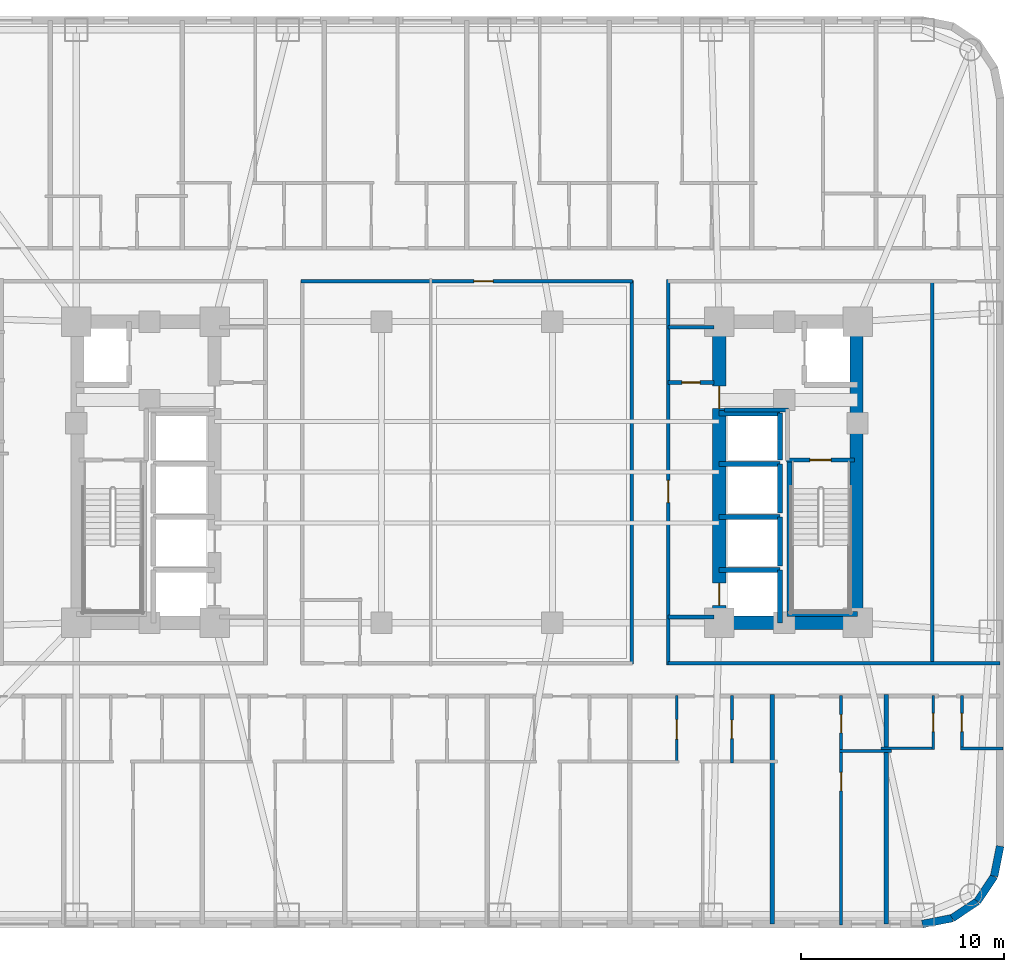
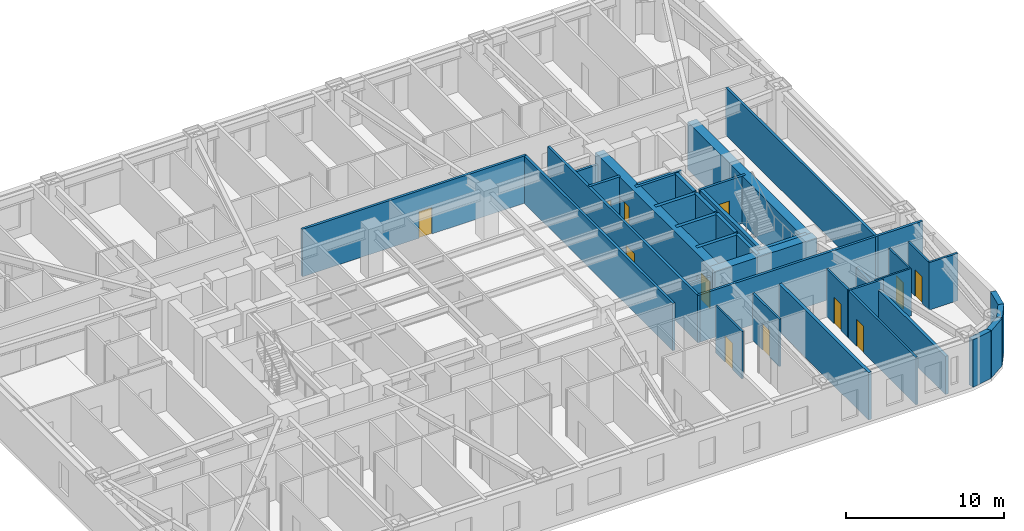
# One storey, part 6 of 12: 38 walls, 12 doors, 12 openings.
"""IFC4 building model written with IfcOpenShell, lengths in metres."""

from ifc_helpers import new_model, si_unit, direction, frame, frame_2d, origin, place, context, subcontext, project, spatial, rectangle, extrude, material, layer, layer_set, type_object, element, fill, save


model = new_model("IFC4")

# Units and contexts
model_context = context("Model", 3, precision=1e-05, world=origin(), true_north=direction((0.0, 1.0)))
body_context = subcontext(model_context, "Body", "Model", "MODEL_VIEW")
ifc_project = project(units=[si_unit("LENGTHUNIT", "METRE"), si_unit("AREAUNIT", "SQUARE_METRE"), si_unit("VOLUMEUNIT", "CUBIC_METRE"), si_unit("PLANEANGLEUNIT", "RADIAN"), si_unit("MASSUNIT", "GRAM", prefix="KILO")], contexts=[model_context])

# Site, building, storey
site_placement = place(None, origin())
site = spatial("IfcSite", under=ifc_project, at=site_placement, CompositionType="ELEMENT")
building_placement = place(site_placement, origin())
building = spatial("IfcBuilding", under=site, at=building_placement, Name="Voryun Gate Residences", CompositionType="ELEMENT")
storey_placement = place(building_placement, frame((0.0, 0.0, 65.0)))
storey = spatial("IfcBuildingStorey", under=building, at=storey_placement, Name="L15", CompositionType="ELEMENT", Elevation=65.0)

# Wall
ifc_material_1 = material(Name="Concrete C60/75", Category="concrete")
ifc_layer_1 = layer(ifc_material_1, 0.64990234375, Name="CW_CORE_650")
ifc_layer_set_1 = layer_set([ifc_layer_1], Name="Concrete C60/75")
wall_type_1 = type_object("IfcWallType", Name="CW_CORE_650", PredefinedType="SHEAR", material=ifc_layer_set_1)
wall_1_placement = place(storey_placement, frame((12.074951171875, -7.39990234375, 0.0), z_axis=(0.0, 0.0, 1.0), x_axis=(1.0, 0.0, 0.0)))
element("IfcWall", 1, at=wall_1_placement, inside=storey, type_object=wall_type_1, Name="L15 Core shear wall CW-L15-ES", PredefinedType="SHEAR", context=body_context, shape_type="SweptSolid", body=[
    extrude(rectangle(XDim=7.449951171875, YDim=0.64990234375, at=frame_2d((3.72509765625, 0.0))), origin(), (0.0, 0.0, 1.0), 3.64990234375),
])

# Wall, openings, doors
wall_2_placement = place(storey_placement, frame((12.39990234375, -7.39990234375, 0.0), z_axis=(0.0, 0.0, 1.0), x_axis=(0.0, 1.0, 0.0)))
wall_2 = element("IfcWall", 2, at=wall_2_placement, inside=storey, type_object=wall_type_1, Name="L15 Core shear wall CW-L15-EW", PredefinedType="SHEAR", context=body_context, shape_type="SweptSolid", body=[
    extrude(rectangle(XDim=14.7998046875, YDim=0.64990234375, at=frame_2d((7.39990234375, 0.0))), origin(), (0.0, 0.0, 1.0), 3.64990234375),
])
opening_1_placement = place(wall_2_placement, frame((0.85009765625, 0.0, 0.0)))
opening_1 = element("IfcOpeningElement", 3, at=opening_1_placement, cuts=wall_2, Name="Opening LD2", PredefinedType="OPENING", context=body_context, shape_type="SweptSolid", body=[
    extrude(rectangle(XDim=1.10009765625, YDim=2.050048828125, at=frame_2d((0.550048828125, 1.02490234375))), frame((0.0, 0.3349609375, 0.0), z_axis=(0.0, -1.0, 0.0), x_axis=(1.0, 0.0, 0.0)), (0.0, 0.0, 1.0), 0.669921875),
])
opening_2_placement = place(wall_2_placement, frame((10.530029296875, 0.0, 0.0)))
opening_2 = element("IfcOpeningElement", 4, at=opening_2_placement, cuts=wall_2, Name="Opening D-FD60-2", PredefinedType="OPENING", context=body_context, shape_type="SweptSolid", body=[
    extrude(rectangle(XDim=1.10009765625, YDim=2.050048828125, at=frame_2d((0.550048828125, 1.02490234375))), frame((0.0, 0.3349609375, 0.0), z_axis=(0.0, -1.0, 0.0), x_axis=(1.0, 0.0, 0.0)), (0.0, 0.0, 1.0), 0.669921875),
])
ifc_material_2 = material(Name="Painted steel fire door", Category="steel")
door_type_1 = type_object("IfcDoorType", Name="DR_FD60_FFLOB_1100", OperationType="NOTDEFINED", PredefinedType="DOOR", material=ifc_material_2)
door_1_placement = place(opening_2_placement, origin())
door_1 = element("IfcDoor", 5, at=door_1_placement, inside=storey, type_object=door_type_1, Name="Door DR-L15-CLOB-E", OperationType="SINGLE_SWING_RIGHT", OverallHeight=2.050048828125, OverallWidth=1.10009765625, PredefinedType="DOOR", context=body_context, shape_type="SweptSolid", body=[
    extrude(rectangle(XDim=1.10009765625, YDim=2.050048828125, at=frame_2d((0.550048828125, 1.02490234375))), frame((0.0, 0.02490234375, 0.0), z_axis=(0.0, -1.0, 0.0), x_axis=(1.0, 0.0, 0.0)), (0.0, 0.0, 1.0), 0.050048828125),
])
fill(opening_2, door_1)
ifc_material_3 = material(Name="Anodised aluminium", Category="aluminium")
door_type_2 = type_object("IfcDoorType", Name="DR_LD_PASS_1100", OperationType="NOTDEFINED", PredefinedType="DOOR", material=ifc_material_3)
door_2_placement = place(opening_1_placement, origin())
door_2 = element("IfcDoor", 6, at=door_2_placement, inside=storey, type_object=door_type_2, Name="Lift EL-P3 sliding landing door L15", OperationType="SLIDING_TO_LEFT", OverallHeight=2.050048828125, OverallWidth=1.10009765625, PredefinedType="DOOR", context=body_context, shape_type="SweptSolid", body=[
    extrude(rectangle(XDim=1.10009765625, YDim=2.050048828125, at=frame_2d((0.550048828125, 1.02490234375))), frame((0.0, 0.02490234375, 0.0), z_axis=(0.0, -1.0, 0.0), x_axis=(1.0, 0.0, 0.0)), (0.0, 0.0, 1.0), 0.050048828125),
])
fill(opening_1, door_2)

# Wall
wall_3_placement = place(storey_placement, frame((19.14501953125, -7.39990234375, 0.0), z_axis=(0.0, 0.0, 1.0), x_axis=(0.0, 1.0, 0.0)))
element("IfcWall", 7, at=wall_3_placement, inside=storey, type_object=wall_type_1, Name="L15 Core shear wall CW-L15-EE", PredefinedType="SHEAR", context=body_context, shape_type="SweptSolid", body=[
    extrude(rectangle(XDim=14.7998046875, YDim=0.64990234375, at=frame_2d((7.39990234375, 0.0))), origin(), (0.0, 0.0, 1.0), 3.64990234375),
])

# Wall, opening, door
ifc_material_4 = material(Name="Gypsum acoustic fireboard")
ifc_layer_2 = layer(ifc_material_4, 0.179931640625, Name="W_CORR_RATED_180")
ifc_layer_set_2 = layer_set([ifc_layer_2], Name="Gypsum acoustic fireboard")
wall_type_2 = type_object("IfcWallType", Name="W_CORR_RATED_180", PredefinedType="PARTITIONING", material=ifc_layer_set_2)
wall_4_placement = place(storey_placement, frame((15.699951171875, 0.60009765625, 0.0), z_axis=(0.0, 0.0, 1.0), x_axis=(1.0, 0.0, 0.0)))
wall_4 = element("IfcWall", 8, at=wall_4_placement, inside=storey, type_object=wall_type_2, Name="Partition wall WP-L15-STV-E", PredefinedType="PARTITIONING", context=body_context, shape_type="SweptSolid", body=[
    extrude(rectangle(XDim=3.360107421875, YDim=0.179931640625, at=frame_2d((1.68017578125, 0.0))), origin(), (0.0, 0.0, 1.0), 3.64990234375),
])
opening_3_placement = place(wall_4_placement, frame((1.155029296875, 0.0, 0.0)))
opening_3 = element("IfcOpeningElement", 9, at=opening_3_placement, cuts=wall_4, Name="Opening D-FD60-1", PredefinedType="OPENING", context=body_context, shape_type="SweptSolid", body=[
    extrude(rectangle(XDim=1.050048828125, YDim=2.050048828125, at=frame_2d((0.52490234375, 1.02490234375))), frame((0.0, 0.099853515625, 0.0), z_axis=(0.0, -1.0, 0.0), x_axis=(1.0, 0.0, 0.0)), (0.0, 0.0, 1.0), 0.199951171875),
])
ifc_material_5 = material(Name="Painted steel fire door", Category="steel")
door_type_3 = type_object("IfcDoorType", Name="DR_FD60_STAIR_1050", OperationType="NOTDEFINED", PredefinedType="DOOR", material=ifc_material_5)
door_3_placement = place(opening_3_placement, origin())
door_3 = element("IfcDoor", 10, at=door_3_placement, inside=storey, type_object=door_type_3, Name="Door DR-L15-ST-E", OperationType="SINGLE_SWING_RIGHT", OverallHeight=2.050048828125, OverallWidth=1.050048828125, PredefinedType="DOOR", context=body_context, shape_type="SweptSolid", body=[
    extrude(rectangle(XDim=1.050048828125, YDim=2.050048828125, at=frame_2d((0.52490234375, 1.02490234375))), frame((0.0, 0.02490234375, 0.0), z_axis=(0.0, -1.0, 0.0), x_axis=(1.0, 0.0, 0.0)), (0.0, 0.0, 1.0), 0.050048828125),
])
fill(opening_3, door_3)

# Walls
for number, where, z_axis, x_axis, name in (
    (11, (9.8798828125, 7.1201171875, 0.0), (0.0, 0.0, 1.0), (1.0, 0.0, 0.0), "Partition wall WP-L15-PLBN-E"),
    (12, (9.8798828125, -7.1201171875, 0.0), (0.0, 0.0, 1.0), (1.0, 0.0, 0.0), "Partition wall WP-L15-PLBS-E"),
):
    element("IfcWall", number, at=place(storey_placement, frame(where, z_axis=z_axis, x_axis=x_axis)), inside=storey, type_object=wall_type_2, Name=name, PredefinedType="PARTITIONING", context=body_context, shape_type="SweptSolid", body=[
        extrude(rectangle(XDim=2.27001953125, YDim=0.179931640625, at=frame_2d((1.135009765625, 0.0))), origin(), (0.0, 0.0, 1.0), 2.93994140625),
    ])

# Wall, opening, door
wall_5_placement = place(storey_placement, frame((9.89990234375, -9.47998046875, 0.0), z_axis=(0.0, 0.0, 1.0), x_axis=(0.0, 1.0, 0.0)))
wall_5 = element("IfcWall", 13, at=wall_5_placement, inside=storey, type_object=wall_type_2, Name="Partition wall WP-L15-PLBE-FULL", PredefinedType="PARTITIONING", context=body_context, shape_type="SweptSolid", body=[
    extrude(rectangle(XDim=18.9599609375, YDim=0.179931640625, at=frame_2d((9.47998046875, 0.0))), origin(), (0.0, 0.0, 1.0), 3.64990234375),
])
opening_4_placement = place(wall_5_placement, frame((7.98193359375, 0.0, 0.0)))
opening_4 = element("IfcOpeningElement", 14, at=opening_4_placement, cuts=wall_5, Name="Opening D-FD60-2", PredefinedType="OPENING", context=body_context, shape_type="SweptSolid", body=[
    extrude(rectangle(XDim=1.10009765625, YDim=2.050048828125, at=frame_2d((0.550048828125, 1.02490234375))), frame((0.0, 0.099853515625, 0.0), z_axis=(0.0, -1.0, 0.0), x_axis=(1.0, 0.0, 0.0)), (0.0, 0.0, 1.0), 0.199951171875),
])
door_4_placement = place(opening_4_placement, origin())
door_4 = element("IfcDoor", 15, at=door_4_placement, inside=storey, type_object=door_type_1, Name="Door DR-L15-PLBE-COR", OperationType="SINGLE_SWING_RIGHT", OverallHeight=2.050048828125, OverallWidth=1.10009765625, PredefinedType="DOOR", context=body_context, shape_type="SweptSolid", body=[
    extrude(rectangle(XDim=1.10009765625, YDim=2.050048828125, at=frame_2d((0.550048828125, 1.02490234375))), frame((0.0, 0.02490234375, 0.0), z_axis=(0.0, -1.0, 0.0), x_axis=(1.0, 0.0, 0.0)), (0.0, 0.0, 1.0), 0.050048828125),
])
fill(opening_4, door_4)

# Wall
wall_6_placement = place(storey_placement, frame((9.8798828125, -9.389892578125, 0.0), z_axis=(0.0, 0.0, 1.0), x_axis=(1.0, 0.0, 0.0)))
element("IfcWall", 16, at=wall_6_placement, inside=storey, type_object=wall_type_2, Name="Partition wall WP-L15-CWING-ES", PredefinedType="PARTITIONING", context=body_context, shape_type="SweptSolid", body=[
    extrude(rectangle(XDim=16.330078125, YDim=0.179931640625, at=frame_2d((8.1650390625, 0.0))), origin(), (0.0, 0.0, 1.0), 3.64990234375),
])

# Wall, opening, door
wall_7_placement = place(storey_placement, frame((-8.14990234375, 9.389892578125, 0.0), z_axis=(0.0, 0.0, 1.0), x_axis=(1.0, 0.0, 0.0)))
wall_7 = element("IfcWall", 17, at=wall_7_placement, inside=storey, type_object=wall_type_2, Name="Partition wall WP-L15-Z1N", PredefinedType="PARTITIONING", context=body_context, shape_type="SweptSolid", body=[
    extrude(rectangle(XDim=16.2998046875, YDim=0.179931640625, at=frame_2d((8.14990234375, 0.0))), origin(), (0.0, 0.0, 1.0), 3.64990234375),
])
opening_5_placement = place(wall_7_placement, frame((8.489990234375, 0.0, 0.0)))
opening_5 = element("IfcOpeningElement", 18, at=opening_5_placement, cuts=wall_7, Name="Opening D-INT-1", PredefinedType="OPENING", context=body_context, shape_type="SweptSolid", body=[
    extrude(rectangle(XDim=0.949951171875, YDim=2.050048828125, at=frame_2d((0.47509765625, 1.02490234375))), frame((0.0, 0.099853515625, 0.0), z_axis=(0.0, -1.0, 0.0), x_axis=(1.0, 0.0, 0.0)), (0.0, 0.0, 1.0), 0.199951171875),
])
ifc_material_6 = material(Name="Architectural oak veneer")
door_type_4 = type_object("IfcDoorType", Name="DR_INT_ROOM_950", OperationType="NOTDEFINED", PredefinedType="DOOR", material=ifc_material_6)
door_5_placement = place(opening_5_placement, origin())
door_5 = element("IfcDoor", 19, at=door_5_placement, inside=storey, type_object=door_type_4, Name="Door DR-L15-CMIDZ1N", OperationType="SINGLE_SWING_LEFT", OverallHeight=2.050048828125, OverallWidth=0.949951171875, PredefinedType="DOOR", context=body_context, shape_type="SweptSolid", body=[
    extrude(rectangle(XDim=0.949951171875, YDim=2.050048828125, at=frame_2d((0.47509765625, 1.02490234375))), frame((0.0, 0.02490234375, 0.0), z_axis=(0.0, -1.0, 0.0), x_axis=(1.0, 0.0, 0.0)), (0.0, 0.0, 1.0), 0.050048828125),
])
fill(opening_5, door_5)

# Walls
wall_8_placement = place(storey_placement, frame((8.10009765625, -9.429931640625, 0.0), z_axis=(0.0, 0.0, 1.0), x_axis=(0.0, 1.0, 0.0)))
element("IfcWall", 20, at=wall_8_placement, inside=storey, type_object=wall_type_2, Name="Partition wall WP-L15-Z1E", PredefinedType="PARTITIONING", context=body_context, shape_type="SweptSolid", body=[
    extrude(rectangle(XDim=18.85986328125, YDim=0.179931640625, at=frame_2d((9.429931640625, 0.0))), origin(), (0.0, 0.0, 1.0), 3.64990234375),
])
wall_9_placement = place(storey_placement, frame((22.8701171875, -9.47998046875, 0.0), z_axis=(0.0, 0.0, 1.0), x_axis=(0.0, 1.0, 0.0)))
element("IfcWall", 21, at=wall_9_placement, inside=storey, type_object=wall_type_2, Name="Partition wall WP-L15-EEND", PredefinedType="PARTITIONING", context=body_context, shape_type="SweptSolid", body=[
    extrude(rectangle(XDim=18.9599609375, YDim=0.179931640625, at=frame_2d((9.47998046875, 0.0))), origin(), (0.0, 0.0, 1.0), 3.64990234375),
])
ifc_material_7 = material(Name="Granite masonry", Category="masonry")
ifc_layer_3 = layer(ifc_material_7, 0.3798828125, Name="W_EXT_GRANITE_380")
ifc_layer_set_3 = layer_set([ifc_layer_3], Name="Granite masonry")
wall_type_3 = type_object("IfcWallType", Name="W_EXT_GRANITE_380", PredefinedType="ELEMENTEDWALL", material=ifc_layer_set_3)
wall_10_placement = place(storey_placement, frame((26.2099609375, -18.38134765625, 0.0), z_axis=(0.0, 0.0, 1.0), x_axis=(-0.195086038585, -0.980786132421, 0.0)))
element("IfcWall", 22, at=wall_10_placement, inside=storey, type_object=wall_type_3, Name="Exterior wall WEXT-L15-17", PredefinedType="ELEMENTEDWALL", context=body_context, shape_type="SweptSolid", body=[
    extrude(rectangle(XDim=1.504150390625, YDim=0.3798828125, at=frame_2d((0.751953125, 0.0))), origin(), (0.0, 0.0, 1.0), 3.64990234375),
])
for number, where, z_axis, x_axis, name in (
    (23, (25.91650390625, -19.856689453125, 0.0), (0.0, 0.0, 1.0), (-0.555686231674, -0.831392092774, 0.0), "Exterior wall WEXT-L15-18"),
    (24, (25.09130859375, -21.09130859375, 0.0), (0.0, 0.0, 1.0), (-0.831392092774, -0.555686231674, 0.0), "Exterior wall WEXT-L15-19"),
):
    element("IfcWall", number, at=place(storey_placement, frame(where, z_axis=z_axis, x_axis=x_axis)), inside=storey, type_object=wall_type_3, Name=name, PredefinedType="ELEMENTEDWALL", context=body_context, shape_type="SweptSolid", body=[
        extrude(rectangle(XDim=1.485107421875, YDim=0.3798828125, at=frame_2d((0.74267578125, 0.0))), origin(), (0.0, 0.0, 1.0), 3.64990234375),
    ])
wall_11_placement = place(storey_placement, frame((23.856689453125, -21.91650390625, 0.0), z_axis=(0.0, 0.0, 1.0), x_axis=(-0.980786132421, -0.195086038585, 0.0)))
element("IfcWall", 25, at=wall_11_placement, inside=storey, type_object=wall_type_3, Name="Exterior wall WEXT-L15-20", PredefinedType="ELEMENTEDWALL", context=body_context, shape_type="SweptSolid", body=[
    extrude(rectangle(XDim=1.504150390625, YDim=0.3798828125, at=frame_2d((0.751953125, 0.0))), origin(), (0.0, 0.0, 1.0), 3.64990234375),
])
ifc_material_8 = material(Name="Concrete C40/50", Category="concrete")
ifc_layer_4 = layer(ifc_material_8, 0.199951171875, Name="W_FF_LOBBY_200")
ifc_layer_set_4 = layer_set([ifc_layer_4], Name="Concrete C40/50")
wall_type_4 = type_object("IfcWallType", Name="W_FF_LOBBY_200", PredefinedType="PARTITIONING", material=ifc_layer_set_4)
wall_12_placement = place(storey_placement, frame((12.659912109375, 3.06005859375, 0.0), z_axis=(0.0, 0.0, 1.0), x_axis=(1.0, 0.0, 0.0)))
element("IfcWall", 26, at=wall_12_placement, inside=storey, type_object=wall_type_4, Name="Partition wall WP-L15-FFPS-E", PredefinedType="PARTITIONING", context=body_context, shape_type="SweptSolid", body=[
    extrude(rectangle(XDim=3.16015625, YDim=0.199951171875, at=frame_2d((1.580078125, 0.0))), origin(), (0.0, 0.0, 1.0), 3.64990234375),
])

# Wall, opening, door
wall_13_placement = place(storey_placement, frame((9.8798828125, 4.409912109375, 0.0), z_axis=(0.0, 0.0, 1.0), x_axis=(1.0, 0.0, 0.0)))
wall_13 = element("IfcWall", 27, at=wall_13_placement, inside=storey, type_object=wall_type_4, Name="Partition wall WP-L15-CSFLKS-E", PredefinedType="PARTITIONING", context=body_context, shape_type="SweptSolid", body=[
    extrude(rectangle(XDim=2.27001953125, YDim=0.199951171875, at=frame_2d((1.135009765625, 0.0))), origin(), (0.0, 0.0, 1.0), 3.64990234375),
])
opening_6_placement = place(wall_13_placement, frame((0.68505859375, 0.0, 0.0)))
opening_6 = element("IfcOpeningElement", 28, at=opening_6_placement, cuts=wall_13, Name="Opening D-FD60-4", PredefinedType="OPENING", context=body_context, shape_type="SweptSolid", body=[
    extrude(rectangle(XDim=0.89990234375, YDim=2.050048828125, at=frame_2d((0.449951171875, 1.02490234375))), frame((0.0, 0.110107421875, 0.0), z_axis=(0.0, -1.0, 0.0), x_axis=(1.0, 0.0, 0.0)), (0.0, 0.0, 1.0), 0.219970703125),
])
ifc_material_9 = material(Name="Painted steel fire door", Category="steel")
door_type_5 = type_object("IfcDoorType", Name="DR_FD60_RISER_900", OperationType="NOTDEFINED", PredefinedType="DOOR", material=ifc_material_9)
door_6_placement = place(opening_6_placement, origin())
door_6 = element("IfcDoor", 29, at=door_6_placement, inside=storey, type_object=door_type_5, Name="Door DR-L15-CSFLK-E", OperationType="SINGLE_SWING_RIGHT", OverallHeight=2.050048828125, OverallWidth=0.89990234375, PredefinedType="DOOR", context=body_context, shape_type="SweptSolid", body=[
    extrude(rectangle(XDim=0.89990234375, YDim=2.050048828125, at=frame_2d((0.449951171875, 1.02490234375))), frame((0.0, 0.02490234375, 0.0), z_axis=(0.0, -1.0, 0.0), x_axis=(1.0, 0.0, 0.0)), (0.0, 0.0, 1.0), 0.050048828125),
])
fill(opening_6, door_6)

# Walls
ifc_material_10 = material(Name="Concrete C40/50", Category="concrete")
ifc_layer_5 = layer(ifc_material_10, 0.219970703125, Name="W_PARTY_ACOUSTIC_220")
ifc_layer_set_5 = layer_set([ifc_layer_5], Name="Concrete C40/50")
wall_type_5 = type_object("IfcWallType", Name="W_PARTY_ACOUSTIC_220", PredefinedType="PARTITIONING", material=ifc_layer_set_5)
wall_14_placement = place(storey_placement, frame((15.0, -22.2099609375, 0.0), z_axis=(0.0, 0.0, 1.0), x_axis=(0.0, 1.0, 0.0)))
element("IfcWall", 30, at=wall_14_placement, inside=storey, type_object=wall_type_5, Name="Partition wall WP-L15-SPTY-7", PredefinedType="PARTITIONING", context=body_context, shape_type="SweptSolid", body=[
    extrude(rectangle(XDim=11.2900390625, YDim=0.219970703125, at=frame_2d((5.64501953125, 0.0))), origin(), (0.0, 0.0, 1.0), 3.64990234375),
])
wall_15_placement = place(storey_placement, frame((20.60888671875, -22.2099609375, 0.0), z_axis=(0.0, 0.0, 1.0), x_axis=(0.0, 1.0, 0.0)))
element("IfcWall", 31, at=wall_15_placement, inside=storey, type_object=wall_type_5, Name="Partition wall WP-L15-SPTY-8", PredefinedType="PARTITIONING", context=body_context, shape_type="SweptSolid", body=[
    extrude(rectangle(XDim=11.2900390625, YDim=0.219970703125, at=frame_2d((5.64501953125, 0.0))), origin(), (0.0, 0.0, 1.0), 2.93994140625),
])
ifc_material_11 = material(Name="Concrete C50/60", Category="concrete")
ifc_layer_6 = layer(ifc_material_11, 0.25, Name="W_SHAFT_RC250")
ifc_layer_set_6 = layer_set([ifc_layer_6], Name="Concrete C50/60")
wall_type_6 = type_object("IfcWallType", Name="W_SHAFT_RC250", PredefinedType="SOLIDWALL", material=ifc_layer_set_6)
wall_16_placement = place(storey_placement, frame((15.860107421875, -7.0849609375, 0.0), z_axis=(0.0, 0.0, 1.0), x_axis=(0.0, 1.0, 0.0)))
element("IfcWall", 32, at=wall_16_placement, inside=storey, type_object=wall_type_6, Name="L15 Stair shaft structural wall E-STL", PredefinedType="SOLIDWALL", context=body_context, shape_type="SweptSolid", body=[
    extrude(rectangle(XDim=7.68505859375, YDim=0.25, at=frame_2d((3.842529296875, 0.0))), origin(), (0.0, 0.0, 1.0), 3.64990234375),
])
wall_17_placement = place(storey_placement, frame((15.739990234375, -6.965087890625, 0.0), z_axis=(0.0, 0.0, 1.0), x_axis=(1.0, 0.0, 0.0)))
element("IfcWall", 33, at=wall_17_placement, inside=storey, type_object=wall_type_6, Name="L15 Stair shaft structural wall E-STS", PredefinedType="SOLIDWALL", context=body_context, shape_type="SweptSolid", body=[
    extrude(rectangle(XDim=3.4599609375, YDim=0.25, at=frame_2d((1.72998046875, 0.0))), origin(), (0.0, 0.0, 1.0), 3.64990234375),
])
wall_18_placement = place(storey_placement, frame((15.39990234375, -7.39990234375, 0.0), z_axis=(0.0, 0.0, 1.0), x_axis=(0.0, 1.0, 0.0)))
element("IfcWall", 34, at=wall_18_placement, inside=storey, type_object=wall_type_6, Name="Lift shaft wall WSH-L15-EL-P3-E", PredefinedType="SOLIDWALL", context=body_context, shape_type="SweptSolid", body=[
    extrude(rectangle(XDim=2.599853515625, YDim=0.25, at=frame_2d((1.2998046875, 0.0))), origin(), (0.0, 0.0, 1.0), 3.64990234375),
])
wall_19_placement = place(storey_placement, frame((15.39990234375, -4.800048828125, 0.0), z_axis=(0.0, 0.0, 1.0), x_axis=(-1.0, 0.0, 0.0)))
element("IfcWall", 35, at=wall_19_placement, inside=storey, type_object=wall_type_6, Name="Lift shaft wall WSH-L15-EL-P3-N", PredefinedType="SOLIDWALL", context=body_context, shape_type="SweptSolid", body=[
    extrude(rectangle(XDim=3.0, YDim=0.25, at=frame_2d((1.5, 0.0))), origin(), (0.0, 0.0, 1.0), 3.64990234375),
])
wall_20_placement = place(storey_placement, frame((15.39990234375, -4.60009765625, 0.0), z_axis=(0.0, 0.0, 1.0), x_axis=(0.0, 1.0, 0.0)))
element("IfcWall", 36, at=wall_20_placement, inside=storey, type_object=wall_type_6, Name="Lift shaft wall WSH-L15-EL-P5-E", PredefinedType="SOLIDWALL", context=body_context, shape_type="SweptSolid", body=[
    extrude(rectangle(XDim=2.400146484375, YDim=0.25, at=frame_2d((1.2001953125, 0.0))), origin(), (0.0, 0.0, 1.0), 3.64990234375),
])
wall_21_placement = place(storey_placement, frame((15.39990234375, -2.199951171875, 0.0), z_axis=(0.0, 0.0, 1.0), x_axis=(-1.0, 0.0, 0.0)))
element("IfcWall", 37, at=wall_21_placement, inside=storey, type_object=wall_type_6, Name="Lift shaft wall WSH-L15-EL-P5-N", PredefinedType="SOLIDWALL", context=body_context, shape_type="SweptSolid", body=[
    extrude(rectangle(XDim=3.0, YDim=0.25, at=frame_2d((1.5, 0.0))), origin(), (0.0, 0.0, 1.0), 3.64990234375),
])
wall_22_placement = place(storey_placement, frame((15.39990234375, -2.0, 0.0), z_axis=(0.0, 0.0, 1.0), x_axis=(0.0, 1.0, 0.0)))
element("IfcWall", 38, at=wall_22_placement, inside=storey, type_object=wall_type_6, Name="Lift shaft wall WSH-L15-EL-P6-E", PredefinedType="SOLIDWALL", context=body_context, shape_type="SweptSolid", body=[
    extrude(rectangle(XDim=2.39990234375, YDim=0.25, at=frame_2d((1.199951171875, 0.0))), origin(), (0.0, 0.0, 1.0), 3.64990234375),
])
wall_23_placement = place(storey_placement, frame((15.39990234375, 0.39990234375, 0.0), z_axis=(0.0, 0.0, 1.0), x_axis=(-1.0, 0.0, 0.0)))
element("IfcWall", 39, at=wall_23_placement, inside=storey, type_object=wall_type_6, Name="Lift shaft wall WSH-L15-EL-P6-N", PredefinedType="SOLIDWALL", context=body_context, shape_type="SweptSolid", body=[
    extrude(rectangle(XDim=3.0, YDim=0.25, at=frame_2d((1.5, 0.0))), origin(), (0.0, 0.0, 1.0), 3.64990234375),
])
wall_24_placement = place(storey_placement, frame((15.39990234375, 0.60009765625, 0.0), z_axis=(0.0, 0.0, 1.0), x_axis=(0.0, 1.0, 0.0)))
element("IfcWall", 40, at=wall_24_placement, inside=storey, type_object=wall_type_6, Name="Lift shaft wall WSH-L15-EL-P8-E", PredefinedType="SOLIDWALL", context=body_context, shape_type="SweptSolid", body=[
    extrude(rectangle(XDim=2.2998046875, YDim=0.25, at=frame_2d((1.14990234375, 0.0))), origin(), (0.0, 0.0, 1.0), 3.64990234375),
])
wall_25_placement = place(storey_placement, frame((15.39990234375, 2.89990234375, 0.0), z_axis=(0.0, 0.0, 1.0), x_axis=(-1.0, 0.0, 0.0)))
element("IfcWall", 41, at=wall_25_placement, inside=storey, type_object=wall_type_6, Name="Lift shaft wall WSH-L15-EL-P8-N", PredefinedType="SOLIDWALL", context=body_context, shape_type="SweptSolid", body=[
    extrude(rectangle(XDim=3.0, YDim=0.25, at=frame_2d((1.5, 0.0))), origin(), (0.0, 0.0, 1.0), 3.64990234375),
])

# Wall, opening, door
ifc_material_12 = material(Name="Gypsum acoustic partition")
ifc_layer_7 = layer(ifc_material_12, 0.125, Name="W_UNIT_PART_125")
ifc_layer_set_7 = layer_set([ifc_layer_7], Name="Gypsum acoustic partition")
wall_type_7 = type_object("IfcWallType", Name="W_UNIT_PART_125", PredefinedType="PARTITIONING", material=ifc_layer_set_7)
wall_26_placement = place(storey_placement, frame((10.31005859375, -14.300048828125, 0.0), z_axis=(0.0, 0.0, 1.0), x_axis=(0.0, 1.0, 0.0)))
wall_26 = element("IfcWall", 42, at=wall_26_placement, inside=storey, type_object=wall_type_7, Name="Partition wall WP-L15-S7-IVK", PredefinedType="PARTITIONING", context=body_context, shape_type="SweptSolid", body=[
    extrude(rectangle(XDim=3.320068359375, YDim=0.125, at=frame_2d((1.66015625, 0.0))), origin(), (0.0, 0.0, 1.0), 3.64990234375),
])
opening_7_placement = place(wall_26_placement, frame((1.18505859375, 0.0, 0.0)))
opening_7 = element("IfcOpeningElement", 43, at=opening_7_placement, cuts=wall_26, Name="Opening D-INT-1", PredefinedType="OPENING", context=body_context, shape_type="SweptSolid", body=[
    extrude(rectangle(XDim=0.949951171875, YDim=2.050048828125, at=frame_2d((0.47509765625, 1.02490234375))), frame((0.0, 0.072509765625, 0.0), z_axis=(0.0, -1.0, 0.0), x_axis=(1.0, 0.0, 0.0)), (0.0, 0.0, 1.0), 0.14501953125),
])
door_7_placement = place(opening_7_placement, origin())
door_7 = element("IfcDoor", 44, at=door_7_placement, inside=storey, type_object=door_type_4, Name="Door DR-L15-S7-DK", OperationType="SINGLE_SWING_LEFT", OverallHeight=2.050048828125, OverallWidth=0.949951171875, PredefinedType="DOOR", context=body_context, shape_type="SweptSolid", body=[
    extrude(rectangle(XDim=0.949951171875, YDim=2.050048828125, at=frame_2d((0.47509765625, 1.02490234375))), frame((0.0, 0.02490234375, 0.0), z_axis=(0.0, -1.0, 0.0), x_axis=(1.0, 0.0, 0.0)), (0.0, 0.0, 1.0), 0.050048828125),
])
fill(opening_7, door_7)

wall_27_placement = place(storey_placement, frame((22.9189453125, -13.6298828125, 0.0), z_axis=(0.0, 0.0, 1.0), x_axis=(0.0, 1.0, 0.0)))
wall_27 = element("IfcWall", 45, at=wall_27_placement, inside=storey, type_object=wall_type_7, Name="Partition wall WP-L15-S9-CVK", PredefinedType="PARTITIONING", context=body_context, shape_type="SweptSolid", body=[
    extrude(rectangle(XDim=2.64990234375, YDim=0.125, at=frame_2d((1.324951171875, 0.0))), origin(), (0.0, 0.0, 1.0), 3.64990234375),
])
opening_8_placement = place(wall_27_placement, frame((0.875, 0.0, 0.0)))
opening_8 = element("IfcOpeningElement", 46, at=opening_8_placement, cuts=wall_27, Name="Opening D-INT-2", PredefinedType="OPENING", context=body_context, shape_type="SweptSolid", body=[
    extrude(rectangle(XDim=0.89990234375, YDim=2.050048828125, at=frame_2d((0.449951171875, 1.02490234375))), frame((0.0, 0.072509765625, 0.0), z_axis=(0.0, -1.0, 0.0), x_axis=(1.0, 0.0, 0.0)), (0.0, 0.0, 1.0), 0.14501953125),
])
ifc_material_13 = material(Name="Architectural oak veneer")
door_type_6 = type_object("IfcDoorType", Name="DR_INT_BATH_900", OperationType="NOTDEFINED", PredefinedType="DOOR", material=ifc_material_13)
door_8_placement = place(opening_8_placement, origin())
door_8 = element("IfcDoor", 47, at=door_8_placement, inside=storey, type_object=door_type_6, Name="Door DR-L15-S9-DK", OperationType="SINGLE_SWING_LEFT", OverallHeight=2.050048828125, OverallWidth=0.89990234375, PredefinedType="DOOR", context=body_context, shape_type="SweptSolid", body=[
    extrude(rectangle(XDim=0.89990234375, YDim=2.050048828125, at=frame_2d((0.449951171875, 1.02490234375))), frame((0.0, 0.02490234375, 0.0), z_axis=(0.0, -1.0, 0.0), x_axis=(1.0, 0.0, 0.0)), (0.0, 0.0, 1.0), 0.050048828125),
])
fill(opening_8, door_8)

# Wall
wall_28_placement = place(storey_placement, frame((20.34912109375, -13.570068359375, 0.0), z_axis=(0.0, 0.0, 1.0), x_axis=(1.0, 0.0, 0.0)))
element("IfcWall", 48, at=wall_28_placement, inside=storey, type_object=wall_type_7, Name="Partition wall WP-L15-S9-CHK", PredefinedType="PARTITIONING", context=body_context, shape_type="SweptSolid", body=[
    extrude(rectangle(XDim=2.6298828125, YDim=0.125, at=frame_2d((1.31494140625, 0.0))), origin(), (0.0, 0.0, 1.0), 3.64990234375),
])

# Wall, opening, door
ifc_material_14 = material(Name="Gypsum moisture-resistant partition")
ifc_layer_8 = layer(ifc_material_14, 0.14990234375, Name="W_WET_PLUMB_150")
ifc_layer_set_8 = layer_set([ifc_layer_8], Name="Gypsum moisture-resistant partition")
wall_type_8 = type_object("IfcWallType", Name="W_WET_PLUMB_150", PredefinedType="PLUMBINGWALL", material=ifc_layer_set_8)
wall_29_placement = place(storey_placement, frame((13.02001953125, -14.300048828125, 0.0), z_axis=(0.0, 0.0, 1.0), x_axis=(0.0, 1.0, 0.0)))
wall_29 = element("IfcWall", 49, at=wall_29_placement, inside=storey, type_object=wall_type_8, Name="Partition wall WP-L15-S7-IVB", PredefinedType="PLUMBINGWALL", context=body_context, shape_type="SweptSolid", body=[
    extrude(rectangle(XDim=3.320068359375, YDim=0.14990234375, at=frame_2d((1.66015625, 0.0))), origin(), (0.0, 0.0, 1.0), 3.64990234375),
])
opening_9_placement = place(wall_29_placement, frame((1.2099609375, 0.0, 0.0)))
opening_9 = element("IfcOpeningElement", 50, at=opening_9_placement, cuts=wall_29, Name="Opening D-INT-2", PredefinedType="OPENING", context=body_context, shape_type="SweptSolid", body=[
    extrude(rectangle(XDim=0.89990234375, YDim=2.050048828125, at=frame_2d((0.449951171875, 1.02490234375))), frame((0.0, 0.0849609375, 0.0), z_axis=(0.0, -1.0, 0.0), x_axis=(1.0, 0.0, 0.0)), (0.0, 0.0, 1.0), 0.169921875),
])
door_9_placement = place(opening_9_placement, origin())
door_9 = element("IfcDoor", 51, at=door_9_placement, inside=storey, type_object=door_type_6, Name="Door DR-L15-S7-DB", OperationType="SINGLE_SWING_RIGHT", OverallHeight=2.050048828125, OverallWidth=0.89990234375, PredefinedType="DOOR", context=body_context, shape_type="SweptSolid", body=[
    extrude(rectangle(XDim=0.89990234375, YDim=2.050048828125, at=frame_2d((0.449951171875, 1.02490234375))), frame((0.0, 0.02490234375, 0.0), z_axis=(0.0, -1.0, 0.0), x_axis=(1.0, 0.0, 0.0)), (0.0, 0.0, 1.0), 0.050048828125),
])
fill(opening_9, door_9)

# Wall
wall_30_placement = place(storey_placement, frame((18.319091796875, -13.699951171875, 0.0), z_axis=(0.0, 0.0, 1.0), x_axis=(1.0, 0.0, 0.0)))
element("IfcWall", 52, at=wall_30_placement, inside=storey, type_object=wall_type_8, Name="Partition wall WP-L15-S8-SKB", PredefinedType="PLUMBINGWALL", context=body_context, shape_type="SweptSolid", body=[
    extrude(rectangle(XDim=2.5498046875, YDim=0.14990234375, at=frame_2d((1.27490234375, 0.0))), origin(), (0.0, 0.0, 1.0), 3.64990234375),
])

# Wall, opening, door
wall_31_placement = place(storey_placement, frame((18.39892578125, -22.257568359375, 0.0), z_axis=(0.0, 0.0, 1.0), x_axis=(0.0, 1.0, 0.0)))
wall_31 = element("IfcWall", 53, at=wall_31_placement, inside=storey, type_object=wall_type_8, Name="Partition wall WP-L15-S8-SVT1", PredefinedType="PLUMBINGWALL", context=body_context, shape_type="SweptSolid", body=[
    extrude(rectangle(XDim=8.59765625, YDim=0.14990234375, at=frame_2d((4.298828125, 0.0))), origin(), (0.0, 0.0, 1.0), 3.64990234375),
])
opening_10_placement = place(wall_31_placement, frame((6.60009765625, 0.0, 0.0)))
opening_10 = element("IfcOpeningElement", 54, at=opening_10_placement, cuts=wall_31, Name="Opening D-INT-2", PredefinedType="OPENING", context=body_context, shape_type="SweptSolid", body=[
    extrude(rectangle(XDim=0.89990234375, YDim=2.050048828125, at=frame_2d((0.449951171875, 1.02490234375))), frame((0.0, 0.0849609375, 0.0), z_axis=(0.0, -1.0, 0.0), x_axis=(1.0, 0.0, 0.0)), (0.0, 0.0, 1.0), 0.169921875),
])
door_10_placement = place(opening_10_placement, origin())
door_10 = element("IfcDoor", 55, at=door_10_placement, inside=storey, type_object=door_type_6, Name="Door DR-L15-S8-DK", OperationType="SINGLE_SWING_LEFT", OverallHeight=2.050048828125, OverallWidth=0.89990234375, PredefinedType="DOOR", context=body_context, shape_type="SweptSolid", body=[
    extrude(rectangle(XDim=0.89990234375, YDim=2.050048828125, at=frame_2d((0.449951171875, 1.02490234375))), frame((0.0, 0.02490234375, 0.0), z_axis=(0.0, -1.0, 0.0), x_axis=(1.0, 0.0, 0.0)), (0.0, 0.0, 1.0), 0.050048828125),
])
fill(opening_10, door_10)

wall_32_placement = place(storey_placement, frame((18.39892578125, -13.739990234375, 0.0), z_axis=(0.0, 0.0, 1.0), x_axis=(0.0, 1.0, 0.0)))
wall_32 = element("IfcWall", 56, at=wall_32_placement, inside=storey, type_object=wall_type_8, Name="Partition wall WP-L15-S8-SVT2", PredefinedType="PLUMBINGWALL", context=body_context, shape_type="SweptSolid", body=[
    extrude(rectangle(XDim=2.760009765625, YDim=0.14990234375, at=frame_2d((1.3798828125, 0.0))), origin(), (0.0, 0.0, 1.0), 3.64990234375),
])
opening_11_placement = place(wall_32_placement, frame((0.929931640625, 0.0, 0.0)))
opening_11 = element("IfcOpeningElement", 57, at=opening_11_placement, cuts=wall_32, Name="Opening D-INT-2", PredefinedType="OPENING", context=body_context, shape_type="SweptSolid", body=[
    extrude(rectangle(XDim=0.89990234375, YDim=2.050048828125, at=frame_2d((0.449951171875, 1.02490234375))), frame((0.0, 0.0849609375, 0.0), z_axis=(0.0, -1.0, 0.0), x_axis=(1.0, 0.0, 0.0)), (0.0, 0.0, 1.0), 0.169921875),
])
door_11_placement = place(opening_11_placement, origin())
door_11 = element("IfcDoor", 58, at=door_11_placement, inside=storey, type_object=door_type_6, Name="Door DR-L15-S8-DB", OperationType="SINGLE_SWING_RIGHT", OverallHeight=2.050048828125, OverallWidth=0.89990234375, PredefinedType="DOOR", context=body_context, shape_type="SweptSolid", body=[
    extrude(rectangle(XDim=0.89990234375, YDim=2.050048828125, at=frame_2d((0.449951171875, 1.02490234375))), frame((0.0, 0.02490234375, 0.0), z_axis=(0.0, -1.0, 0.0), x_axis=(1.0, 0.0, 0.0)), (0.0, 0.0, 1.0), 0.050048828125),
])
fill(opening_11, door_11)

wall_33_placement = place(storey_placement, frame((24.3310546875, -13.6298828125, 0.0), z_axis=(0.0, 0.0, 1.0), x_axis=(0.0, 1.0, 0.0)))
wall_33 = element("IfcWall", 59, at=wall_33_placement, inside=storey, type_object=wall_type_8, Name="Partition wall WP-L15-S9-CVB", PredefinedType="PLUMBINGWALL", context=body_context, shape_type="SweptSolid", body=[
    extrude(rectangle(XDim=2.64990234375, YDim=0.14990234375, at=frame_2d((1.324951171875, 0.0))), origin(), (0.0, 0.0, 1.0), 3.64990234375),
])
opening_12_placement = place(wall_33_placement, frame((0.875, 0.0, 0.0)))
opening_12 = element("IfcOpeningElement", 60, at=opening_12_placement, cuts=wall_33, Name="Opening D-INT-2", PredefinedType="OPENING", context=body_context, shape_type="SweptSolid", body=[
    extrude(rectangle(XDim=0.89990234375, YDim=2.050048828125, at=frame_2d((0.449951171875, 1.02490234375))), frame((0.0, 0.0849609375, 0.0), z_axis=(0.0, -1.0, 0.0), x_axis=(1.0, 0.0, 0.0)), (0.0, 0.0, 1.0), 0.169921875),
])
door_12_placement = place(opening_12_placement, origin())
door_12 = element("IfcDoor", 61, at=door_12_placement, inside=storey, type_object=door_type_6, Name="Door DR-L15-S9-DB", OperationType="SINGLE_SWING_RIGHT", OverallHeight=2.050048828125, OverallWidth=0.89990234375, PredefinedType="DOOR", context=body_context, shape_type="SweptSolid", body=[
    extrude(rectangle(XDim=0.89990234375, YDim=2.050048828125, at=frame_2d((0.449951171875, 1.02490234375))), frame((0.0, 0.02490234375, 0.0), z_axis=(0.0, -1.0, 0.0), x_axis=(1.0, 0.0, 0.0)), (0.0, 0.0, 1.0), 0.050048828125),
])
fill(opening_12, door_12)

# Wall
wall_34_placement = place(storey_placement, frame((24.27099609375, -13.570068359375, 0.0), z_axis=(0.0, 0.0, 1.0), x_axis=(1.0, 0.0, 0.0)))
element("IfcWall", 62, at=wall_34_placement, inside=storey, type_object=wall_type_8, Name="Partition wall WP-L15-S9-CHB", PredefinedType="PLUMBINGWALL", context=body_context, shape_type="SweptSolid", body=[
    extrude(rectangle(XDim=2.089111328125, YDim=0.14990234375, at=frame_2d((1.04443359375, 0.0))), origin(), (0.0, 0.0, 1.0), 3.64990234375),
])

save(model, "model.ifc")
